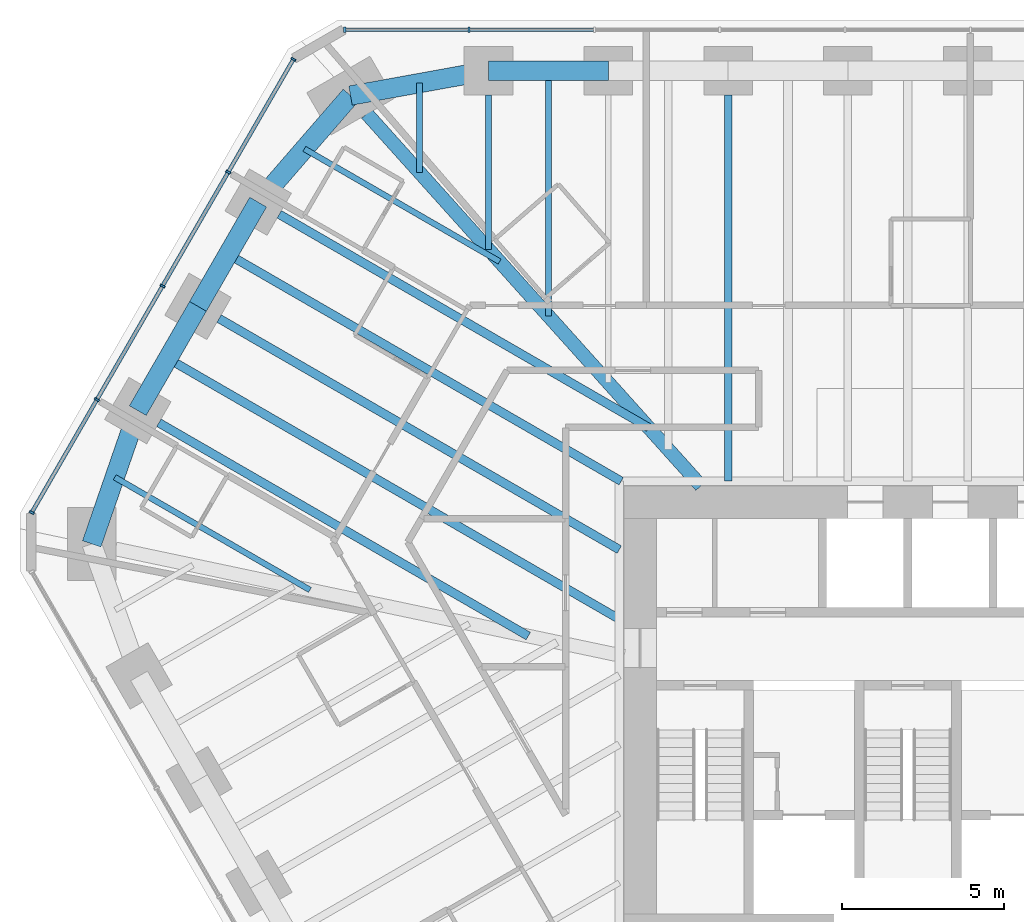
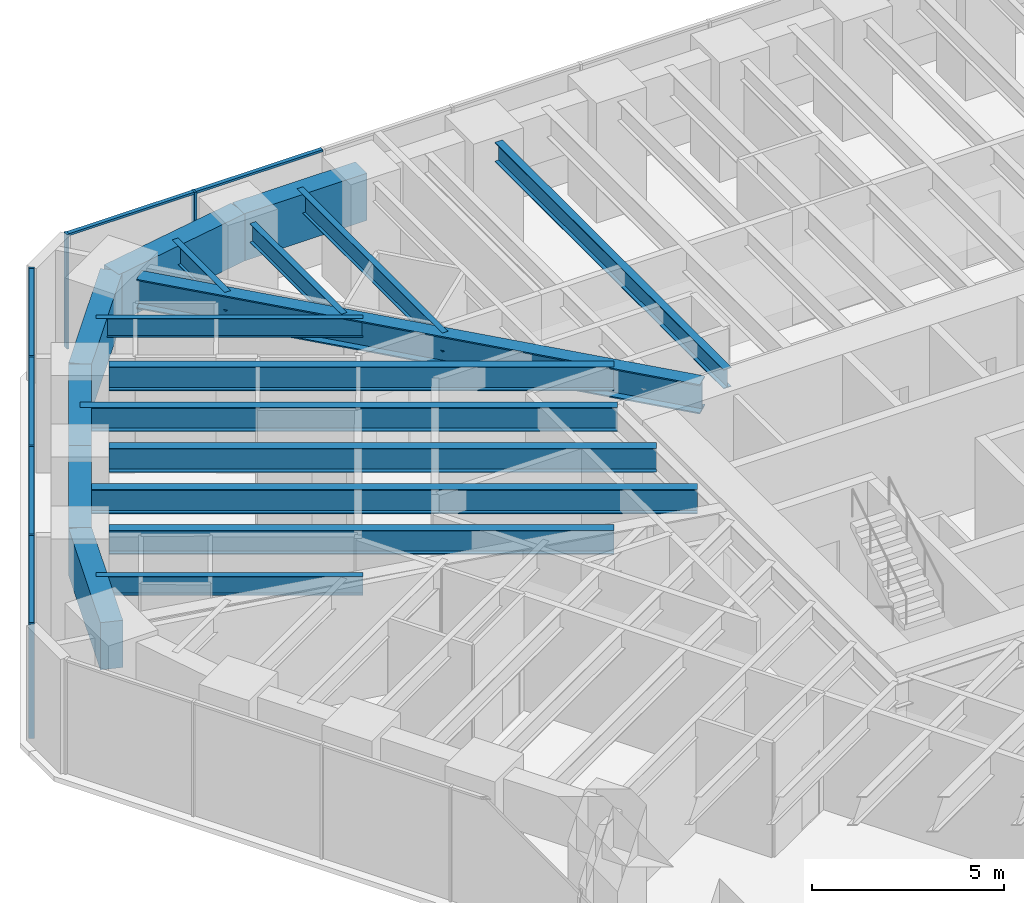
# One storey, part 7 of 16: 18 beams, 13 members, 2 elements without a shape of their own.
"""IFC4 building model written with IfcOpenShell, lengths in metres."""

from ifc_helpers import new_model, si_unit, direction, frame, origin, origin_2d, place, context, subcontext, project, spatial, rectangle, i_section, extrude, material, material_profile, profile_set, type_object, element, aggregate, save


model = new_model("IFC4")

# Units and contexts
model_context = context("Model", 3, precision=1e-05, world=origin(), true_north=direction((0.0, 1.0)))
body_context = subcontext(model_context, "Body", "Model", "MODEL_VIEW")
ifc_project = project(units=[si_unit("LENGTHUNIT", "METRE"), si_unit("AREAUNIT", "SQUARE_METRE"), si_unit("VOLUMEUNIT", "CUBIC_METRE"), si_unit("PLANEANGLEUNIT", "RADIAN"), si_unit("MASSUNIT", "GRAM", prefix="KILO")], contexts=[model_context])

# Site, building, storey
site_placement = place(None, origin())
site = spatial("IfcSite", under=ifc_project, at=site_placement, CompositionType="ELEMENT")
building_placement = place(site_placement, origin())
building = spatial("IfcBuilding", under=site, at=building_placement, Name="Sandreach Pilgrim Tower", CompositionType="ELEMENT")
storey_placement = place(building_placement, frame((0.0, 0.0, 206.0)))
storey = spatial("IfcBuildingStorey", under=building, at=storey_placement, Name="L51", CompositionType="ELEMENT", Elevation=206.0)

# Curtain wall, members
ifc_material_1 = material(Name="Aluminium framed curtain wall", Category="aluminium")
curtain_wall_type = type_object("IfcCurtainWallType", Name="Upper hotel tower curtain wall", PredefinedType="NOTDEFINED", material=ifc_material_1)
curtain_wall_1_placement = place(storey_placement, origin())
curtain_wall_1 = element("IfcCurtainWall", 1, at=curtain_wall_1_placement, inside=storey, type_object=curtain_wall_type, Name="CW-3 L51 N", PredefinedType="NOTDEFINED")
ifc_material_2 = material(Name="Aluminium extrusion", Category="aluminium")
ifc_material_profile_1 = material_profile(ifc_material_2, rectangle(XDim=0.06494140625, YDim=0.159912109375, at=origin_2d()), Name="CW-3M 65X160")
ifc_profile_set_1 = profile_set([ifc_material_profile_1], Name="Aluminium extrusion")
member_type_1 = type_object("IfcMemberType", Name="CW-3 mullion", PredefinedType="MULLION", material=ifc_profile_set_1)
member_1_placement = place(storey_placement, frame((-17.357421875, 21.16015625, 0.0), z_axis=(0.0, 0.0, 1.0), x_axis=(1.0, 0.0, 0.0)))
member_1 = element("IfcMember", 2, at=member_1_placement, type_object=member_type_1, Name="CW-3 mullion 1", PredefinedType="MULLION", context=body_context, shape_type="SweptSolid", body=[
    extrude(rectangle(XDim=0.06494140625, YDim=0.159912109375, at=origin_2d()), origin(), (0.0, 0.0, 1.0), 3.639892578125),
])
member_2_placement = place(storey_placement, frame((-13.525390625, 21.16015625, 0.0), z_axis=(0.0, 0.0, 1.0), x_axis=(1.0, 0.0, 0.0)))
member_2 = element("IfcMember", 3, at=member_2_placement, type_object=member_type_1, Name="CW-3 mullion 2", PredefinedType="MULLION", context=body_context, shape_type="SweptSolid", body=[
    extrude(rectangle(XDim=0.06494140625, YDim=0.159912109375, at=origin_2d()), origin(), (0.0, 0.0, 1.0), 3.639892578125),
])

curtain_wall_2_placement = place(storey_placement, origin())
curtain_wall_2 = element("IfcCurtainWall", 4, at=curtain_wall_2_placement, inside=storey, type_object=curtain_wall_type, Name="CW-3 L51 NW", PredefinedType="NOTDEFINED")
member_3_placement = place(storey_placement, frame((-27.00390625, 6.278076171875, 0.0), z_axis=(0.0, 0.0, 1.0), x_axis=(0.5, 0.866025403784, 0.0)))
member_3 = element("IfcMember", 5, at=member_3_placement, type_object=member_type_1, Name="CW-3 mullion 1", PredefinedType="MULLION", context=body_context, shape_type="SweptSolid", body=[
    extrude(rectangle(XDim=0.06494140625, YDim=0.159912109375, at=origin_2d()), origin(), (0.0, 0.0, 1.0), 3.639892578125),
])
member_4_placement = place(storey_placement, frame((-24.995849609375, 9.75634765625, 0.0), z_axis=(0.0, 0.0, 1.0), x_axis=(0.5, 0.866025403784, 0.0)))
member_4 = element("IfcMember", 6, at=member_4_placement, type_object=member_type_1, Name="CW-3 mullion 2", PredefinedType="MULLION", context=body_context, shape_type="SweptSolid", body=[
    extrude(rectangle(XDim=0.06494140625, YDim=0.159912109375, at=origin_2d()), origin(), (0.0, 0.0, 1.0), 3.639892578125),
])
member_5_placement = place(storey_placement, frame((-22.971435546875, 13.262451171875, 0.0), z_axis=(0.0, 0.0, 1.0), x_axis=(0.5, 0.866025403784, 0.0)))
member_5 = element("IfcMember", 7, at=member_5_placement, type_object=member_type_1, Name="CW-3 mullion 3", PredefinedType="MULLION", context=body_context, shape_type="SweptSolid", body=[
    extrude(rectangle(XDim=0.06494140625, YDim=0.159912109375, at=origin_2d()), origin(), (0.0, 0.0, 1.0), 3.639892578125),
])
member_6_placement = place(storey_placement, frame((-20.947021484375, 16.768798828125, 0.0), z_axis=(0.0, 0.0, 1.0), x_axis=(0.5, 0.866025403784, 0.0)))
member_6 = element("IfcMember", 8, at=member_6_placement, type_object=member_type_1, Name="CW-3 mullion 4", PredefinedType="MULLION", context=body_context, shape_type="SweptSolid", body=[
    extrude(rectangle(XDim=0.06494140625, YDim=0.159912109375, at=origin_2d()), origin(), (0.0, 0.0, 1.0), 3.639892578125),
])
member_7_placement = place(storey_placement, frame((-18.93896484375, 20.2470703125, 0.0), z_axis=(0.0, 0.0, 1.0), x_axis=(0.5, 0.866025403784, 0.0)))
member_7 = element("IfcMember", 9, at=member_7_placement, type_object=member_type_1, Name="CW-3 mullion 5", PredefinedType="MULLION", context=body_context, shape_type="SweptSolid", body=[
    extrude(rectangle(XDim=0.06494140625, YDim=0.159912109375, at=origin_2d()), origin(), (0.0, 0.0, 1.0), 3.639892578125),
])

# Member
ifc_material_3 = material(Name="Aluminium extrusion", Category="aluminium")
ifc_material_profile_2 = material_profile(ifc_material_3, rectangle(XDim=0.1201171875, YDim=0.070068359375, at=origin_2d()), Name="CW-3T 120X70")
ifc_profile_set_2 = profile_set([ifc_material_profile_2], Name="Aluminium extrusion")
member_type_2 = type_object("IfcMemberType", Name="CW-3 transom", PredefinedType="USERDEFINED", material=ifc_profile_set_2)
member_8_placement = place(storey_placement, frame((-17.324951171875, 21.16015625, 3.60498046875), z_axis=(1.0, 0.0, 0.0), x_axis=(0.0, 1.0, 0.0)))
member_8 = element("IfcMember", 10, at=member_8_placement, type_object=member_type_2, Name="CW-3 head transom 1", ObjectType="TRANSOM", PredefinedType="USERDEFINED", context=body_context, shape_type="SweptSolid", body=[
    extrude(rectangle(XDim=0.1201171875, YDim=0.070068359375, at=origin_2d()), origin(), (0.0, 0.0, 1.0), 3.76708984375),
])

member_9_placement = place(storey_placement, frame((-13.492919921875, 21.16015625, 3.60498046875), z_axis=(1.0, 0.0, 0.0), x_axis=(0.0, 1.0, 0.0)))
member_9 = element("IfcMember", 11, at=member_9_placement, type_object=member_type_2, Name="CW-3 head transom 2", ObjectType="TRANSOM", PredefinedType="USERDEFINED", context=body_context, shape_type="SweptSolid", body=[
    extrude(rectangle(XDim=0.1201171875, YDim=0.070068359375, at=origin_2d()), origin(), (0.0, 0.0, 1.0), 3.79931640625),
])

aggregate(curtain_wall_1, [member_1, member_2, member_8, member_9])

member_10_placement = place(storey_placement, frame((-26.987548828125, 6.306396484375, 3.60498046875), z_axis=(0.499993448556, 0.866029186229, 0.0), x_axis=(-0.866029186229, 0.499993448556, 0.0)))
member_10 = element("IfcMember", 12, at=member_10_placement, type_object=member_type_2, Name="CW-3 head transom 1", ObjectType="TRANSOM", PredefinedType="USERDEFINED", context=body_context, shape_type="SweptSolid", body=[
    extrude(rectangle(XDim=0.1201171875, YDim=0.070068359375, at=origin_2d()), origin(), (0.0, 0.0, 1.0), 3.951171875),
])

member_11_placement = place(storey_placement, frame((-24.9794921875, 9.784423828125, 3.60498046875), z_axis=(0.499975332564, 0.866039645067, 0.0), x_axis=(-0.866039645067, 0.499975332564, 0.0)))
member_11 = element("IfcMember", 13, at=member_11_placement, type_object=member_type_2, Name="CW-3 head transom 2", ObjectType="TRANSOM", PredefinedType="USERDEFINED", context=body_context, shape_type="SweptSolid", body=[
    extrude(rectangle(XDim=0.1201171875, YDim=0.070068359375, at=origin_2d()), origin(), (0.0, 0.0, 1.0), 3.983642578125),
])

member_12_placement = place(storey_placement, frame((-22.955078125, 13.290771484375, 3.60498046875), z_axis=(0.499975332564, 0.866039645067, 0.0), x_axis=(-0.866039645067, 0.499975332564, 0.0)))
member_12 = element("IfcMember", 14, at=member_12_placement, type_object=member_type_2, Name="CW-3 head transom 3", ObjectType="TRANSOM", PredefinedType="USERDEFINED", context=body_context, shape_type="SweptSolid", body=[
    extrude(rectangle(XDim=0.1201171875, YDim=0.070068359375, at=origin_2d()), origin(), (0.0, 0.0, 1.0), 3.983642578125),
])

member_13_placement = place(storey_placement, frame((-20.930908203125, 16.796875, 3.60498046875), z_axis=(0.499993448556, 0.866029186229, 0.0), x_axis=(-0.866029186229, 0.499993448556, 0.0)))
member_13 = element("IfcMember", 15, at=member_13_placement, type_object=member_type_2, Name="CW-3 head transom 4", ObjectType="TRANSOM", PredefinedType="USERDEFINED", context=body_context, shape_type="SweptSolid", body=[
    extrude(rectangle(XDim=0.1201171875, YDim=0.070068359375, at=origin_2d()), origin(), (0.0, 0.0, 1.0), 3.951171875),
])

aggregate(curtain_wall_2, [member_3, member_4, member_5, member_6, member_7, member_10, member_11, member_12, member_13])

# Beams
ifc_material_4 = material(Name="Steel ASTM A992 Grade 50", Category="steel")
ifc_material_profile_3 = material_profile(ifc_material_4, i_section(OverallWidth=0.421630859375, OverallDepth=0.937255859375, WebThickness=0.0224609375, FlangeThickness=0.039794921875, at=origin_2d()), Name="W36X282")
ifc_profile_set_3 = profile_set([ifc_material_profile_3], Name="Steel ASTM A992 Grade 50")
beam_type_1 = type_object("IfcBeamType", Name="Corner girder W36X282", PredefinedType="BEAM", material=ifc_profile_set_3)
beam_1_placement = place(storey_placement, frame((-16.677001953125, 18.572509765625, 3.17138671875), z_axis=(0.668116607722, -0.744056582853, 0.0), x_axis=(0.744056582853, 0.668116607722, 0.0)))
element("IfcBeam", 16, at=beam_1_placement, inside=storey, type_object=beam_type_1, Name="BM L51 CG39", PredefinedType="BEAM", context=body_context, shape_type="SweptSolid", body=[
    extrude(i_section(OverallWidth=0.421630859375, OverallDepth=0.937255859375, WebThickness=0.0224609375, FlangeThickness=0.039794921875, at=origin_2d()), origin(), (0.0, 0.0, 1.0), 15.418701171875),
])
ifc_material_5 = material(Name="Steel ASTM A992 Grade 50", Category="steel")
ifc_material_profile_4 = material_profile(ifc_material_5, i_section(OverallWidth=0.1787109375, OverallDepth=0.60205078125, WebThickness=0.010986328125, FlangeThickness=0.014892578125, at=origin_2d()), Name="W24X62")
ifc_profile_set_4 = profile_set([ifc_material_profile_4], Name="Steel ASTM A992 Grade 50")
beam_type_2 = type_object("IfcBeamType", Name="Floor beam W24X62", PredefinedType="BEAM", material=ifc_profile_set_4)
beam_2_placement = place(storey_placement, frame((-12.923828125, 19.150146484375, 3.339111328125), z_axis=(0.0, -1.0, 0.0), x_axis=(1.0, 0.0, 0.0)))
element("IfcBeam", 17, at=beam_2_placement, inside=storey, type_object=beam_type_2, Name="BM L51 F01", PredefinedType="BEAM", context=body_context, shape_type="SweptSolid", body=[
    extrude(i_section(OverallWidth=0.1787109375, OverallDepth=0.60205078125, WebThickness=0.010986328125, FlangeThickness=0.014892578125, at=origin_2d()), origin(), (0.0, 0.0, 1.0), 4.757568359375),
])
beam_3_placement = place(storey_placement, frame((-11.077392578125, 19.900146484375, 3.339111328125), z_axis=(0.0, -1.0, 0.0), x_axis=(1.0, 0.0, 0.0)))
element("IfcBeam", 18, at=beam_3_placement, inside=storey, type_object=beam_type_2, Name="BM L51 FM01", PredefinedType="BEAM", context=body_context, shape_type="SweptSolid", body=[
    extrude(i_section(OverallWidth=0.1787109375, OverallDepth=0.60205078125, WebThickness=0.010986328125, FlangeThickness=0.014892578125, at=origin_2d()), origin(), (0.0, 0.0, 1.0), 7.563720703125),
])
for number, where, z_axis, x_axis, name in (
    (19, (-24.446044921875, 7.365234375, 3.339111328125), (0.866029381593, -0.499993110171, 0.0), (0.499993110171, 0.866029381593, 0.0), "BM L51 FM35"),
    (20, (-18.6015625, 17.48828125, 3.339111328125), (0.866029381593, -0.499993110171, 0.0), (0.499993110171, 0.866029381593, 0.0), "BM L51 FM38"),
):
    element("IfcBeam", number, at=place(storey_placement, frame(where, z_axis=z_axis, x_axis=x_axis)), inside=storey, type_object=beam_type_2, Name=name, PredefinedType="BEAM", context=body_context, shape_type="SweptSolid", body=[
        extrude(i_section(OverallWidth=0.1787109375, OverallDepth=0.60205078125, WebThickness=0.010986328125, FlangeThickness=0.014892578125, at=origin_2d()), origin(), (0.0, 0.0, 1.0), 6.94921875),
    ])
beam_4_placement = place(storey_placement, frame((-15.05078125, 19.515380859375, 3.339111328125), z_axis=(0.0, -1.0, 0.0), x_axis=(1.0, 0.0, 0.0)))
element("IfcBeam", 21, at=beam_4_placement, inside=storey, type_object=beam_type_2, Name="BM L51 FM39", PredefinedType="BEAM", context=body_context, shape_type="SweptSolid", body=[
    extrude(i_section(OverallWidth=0.1787109375, OverallDepth=0.60205078125, WebThickness=0.010986328125, FlangeThickness=0.014892578125, at=origin_2d()), origin(), (0.0, 0.0, 1.0), 2.75390625),
])
ifc_material_6 = material(Name="Steel ASTM A992 Grade 50", Category="steel")
ifc_material_profile_5 = material_profile(ifc_material_6, i_section(OverallWidth=0.23046875, OverallDepth=0.6171875, WebThickness=0.01318359375, FlangeThickness=0.022216796875, at=origin_2d()), Name="W24X94")
ifc_profile_set_5 = profile_set([ifc_material_profile_5], Name="Steel ASTM A992 Grade 50")
beam_type_3 = type_object("IfcBeamType", Name="Floor beam W24X94", PredefinedType="BEAM", material=ifc_profile_set_5)
beam_5_placement = place(storey_placement, frame((-5.538818359375, 19.150146484375, 3.331298828125), z_axis=(0.0, -1.0, 0.0), x_axis=(1.0, 0.0, 0.0)))
element("IfcBeam", 22, at=beam_5_placement, inside=storey, type_object=beam_type_3, Name="BM L51 F03", PredefinedType="BEAM", context=body_context, shape_type="SweptSolid", body=[
    extrude(i_section(OverallWidth=0.23046875, OverallDepth=0.6171875, WebThickness=0.01318359375, FlangeThickness=0.022216796875, at=origin_2d()), origin(), (0.0, 0.0, 1.0), 11.90673828125),
])
ifc_material_7 = material(Name="Steel ASTM A992 Grade 50", Category="steel")
ifc_material_profile_6 = material_profile(ifc_material_7, i_section(OverallWidth=0.2666015625, OverallDepth=0.761962890625, WebThickness=0.014404296875, FlangeThickness=0.021484375, at=origin_2d()), Name="W30X116")
ifc_profile_set_6 = profile_set([ifc_material_profile_6], Name="Steel ASTM A992 Grade 50")
beam_type_4 = type_object("IfcBeamType", Name="Floor beam W30X116", PredefinedType="BEAM", material=ifc_profile_set_6)
beam_6_placement = place(storey_placement, frame((-23.0859375, 9.044189453125, 3.259033203125), z_axis=(0.866026962808, -0.499997299682, 0.0), x_axis=(0.499997299682, 0.866026962808, 0.0)))
element("IfcBeam", 23, at=beam_6_placement, inside=storey, type_object=beam_type_4, Name="BM L51 F36", PredefinedType="BEAM", context=body_context, shape_type="SweptSolid", body=[
    extrude(i_section(OverallWidth=0.2666015625, OverallDepth=0.761962890625, WebThickness=0.014404296875, FlangeThickness=0.021484375, at=origin_2d()), origin(), (0.0, 0.0, 1.0), 13.1484375),
])
beam_7_placement = place(storey_placement, frame((-21.230712890625, 12.257568359375, 3.259033203125), z_axis=(0.866024056942, -0.500002332792, 0.0), x_axis=(0.500002332792, 0.866024056942, 0.0)))
element("IfcBeam", 24, at=beam_7_placement, inside=storey, type_object=beam_type_4, Name="BM L51 F37", PredefinedType="BEAM", context=body_context, shape_type="SweptSolid", body=[
    extrude(i_section(OverallWidth=0.2666015625, OverallDepth=0.761962890625, WebThickness=0.014404296875, FlangeThickness=0.021484375, at=origin_2d()), origin(), (0.0, 0.0, 1.0), 14.24609375),
])
beam_8_placement = place(storey_placement, frame((-19.37548828125, 15.470947265625, 3.259033203125), z_axis=(0.866022320763, -0.500005339912, 0.0), x_axis=(0.500005339912, 0.866022320763, 0.0)))
element("IfcBeam", 25, at=beam_8_placement, inside=storey, type_object=beam_type_4, Name="BM L51 F38", PredefinedType="BEAM", context=body_context, shape_type="SweptSolid", body=[
    extrude(i_section(OverallWidth=0.2666015625, OverallDepth=0.761962890625, WebThickness=0.014404296875, FlangeThickness=0.021484375, at=origin_2d()), origin(), (0.0, 0.0, 1.0), 13.148193359375),
])
beam_9_placement = place(storey_placement, frame((-20.95263671875, 14.2392578125, 3.259033203125), z_axis=(0.866025770688, -0.499999364504, 0.0), x_axis=(0.499999364504, 0.866025770688, 0.0)))
element("IfcBeam", 26, at=beam_9_placement, inside=storey, type_object=beam_type_4, Name="BM L51 FM37", PredefinedType="BEAM", context=body_context, shape_type="SweptSolid", body=[
    extrude(i_section(OverallWidth=0.2666015625, OverallDepth=0.761962890625, WebThickness=0.014404296875, FlangeThickness=0.021484375, at=origin_2d()), origin(), (0.0, 0.0, 1.0), 13.99169921875),
])
ifc_material_8 = material(Name="Steel ASTM A992 Grade 50", Category="steel")
ifc_material_profile_7 = material_profile(ifc_material_8, i_section(OverallWidth=0.2666015625, OverallDepth=0.77978515625, WebThickness=0.0166015625, FlangeThickness=0.030029296875, at=origin_2d()), Name="W30X148")
ifc_profile_set_7 = profile_set([ifc_material_profile_7], Name="Steel ASTM A992 Grade 50")
beam_type_5 = type_object("IfcBeamType", Name="Floor beam W30X148", PredefinedType="BEAM", material=ifc_profile_set_7)
beam_10_placement = place(storey_placement, frame((-22.807861328125, 11.02587890625, 3.25), z_axis=(0.866028701771, -0.499994287676, 0.0), x_axis=(0.499994287676, 0.866028701771, 0.0)))
element("IfcBeam", 27, at=beam_10_placement, inside=storey, type_object=beam_type_5, Name="BM L51 FM36", PredefinedType="BEAM", context=body_context, shape_type="SweptSolid", body=[
    extrude(i_section(OverallWidth=0.2666015625, OverallDepth=0.77978515625, WebThickness=0.0166015625, FlangeThickness=0.030029296875, at=origin_2d()), origin(), (0.0, 0.0, 1.0), 16.067138671875),
])
ifc_material_9 = material(Name="Concrete 10000 psi", Category="concrete")
ifc_material_profile_8 = material_profile(ifc_material_9, rectangle(XDim=0.60009765625, YDim=1.5, at=origin_2d()), Name="RC600X1500")
ifc_profile_set_8 = profile_set([ifc_material_profile_8], Name="Concrete 10000 psi")
beam_type_6 = type_object("IfcBeamType", Name="Spandrel beam RC600X1500", PredefinedType="SPANDREL", material=ifc_profile_set_8)
beam_11_placement = place(storey_placement, frame((-12.923828125, 19.900146484375, 2.889892578125), z_axis=(1.0, 0.0, 0.0), x_axis=(0.0, 1.0, 0.0)))
element("IfcBeam", 28, at=beam_11_placement, inside=storey, type_object=beam_type_6, Name="BM L51 SP01", PredefinedType="SPANDREL", context=body_context, shape_type="SweptSolid", body=[
    extrude(rectangle(XDim=0.60009765625, YDim=1.5, at=origin_2d()), origin(), (0.0, 0.0, 1.0), 3.692626953125),
])
beam_12_placement = place(storey_placement, frame((-25.156494140625, 5.311279296875, 2.889892578125), z_axis=(0.326940800053, 0.945044820768, 0.0), x_axis=(-0.945044820768, 0.326940800053, 0.0)))
element("IfcBeam", 29, at=beam_12_placement, inside=storey, type_object=beam_type_6, Name="BM L51 SP35", PredefinedType="SPANDREL", context=body_context, shape_type="SweptSolid", body=[
    extrude(rectangle(XDim=0.60009765625, YDim=1.5, at=origin_2d()), origin(), (0.0, 0.0, 1.0), 4.3466796875),
])
for number, where, z_axis, x_axis, name in (
    (30, (-23.7353515625, 9.419189453125, 2.889892578125), (0.499946491854, 0.866056294523, 0.0), (-0.866056294523, 0.499946491854, 0.0), "BM L51 SP36"),
    (31, (-21.88037109375, 12.632568359375, 2.889892578125), (0.499995842751, 0.86602780396, 0.0), (-0.86602780396, 0.499995842751, 0.0), "BM L51 SP37"),
):
    element("IfcBeam", number, at=place(storey_placement, frame(where, z_axis=z_axis, x_axis=x_axis)), inside=storey, type_object=beam_type_6, Name=name, PredefinedType="SPANDREL", context=body_context, shape_type="SweptSolid", body=[
        extrude(rectangle(XDim=0.60009765625, YDim=1.5, at=origin_2d()), origin(), (0.0, 0.0, 1.0), 3.71044921875),
    ])
beam_13_placement = place(storey_placement, frame((-20.025146484375, 15.845947265625, 2.889892578125), z_axis=(0.65499040715, 0.755637192402, 0.0), x_axis=(-0.755637192402, 0.65499040715, 0.0)))
element("IfcBeam", 32, at=beam_13_placement, inside=storey, type_object=beam_type_6, Name="BM L51 SP38", PredefinedType="SPANDREL", context=body_context, shape_type="SweptSolid", body=[
    extrude(rectangle(XDim=0.60009765625, YDim=1.5, at=origin_2d()), origin(), (0.0, 0.0, 1.0), 4.346923828125),
])
beam_14_placement = place(storey_placement, frame((-17.177978515625, 19.130615234375, 2.889892578125), z_axis=(0.984030345637, 0.178000783326, 0.0), x_axis=(-0.178000783326, 0.984030345637, 0.0)))
element("IfcBeam", 33, at=beam_14_placement, inside=storey, type_object=beam_type_6, Name="BM L51 SP39", PredefinedType="SPANDREL", context=body_context, shape_type="SweptSolid", body=[
    extrude(rectangle(XDim=0.60009765625, YDim=1.5, at=origin_2d()), origin(), (0.0, 0.0, 1.0), 4.3232421875),
])

save(model, "model.ifc")
